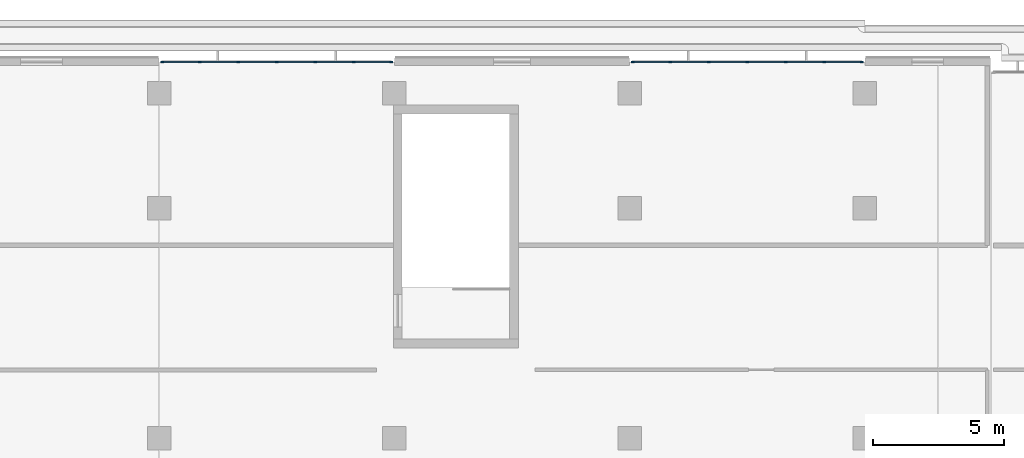
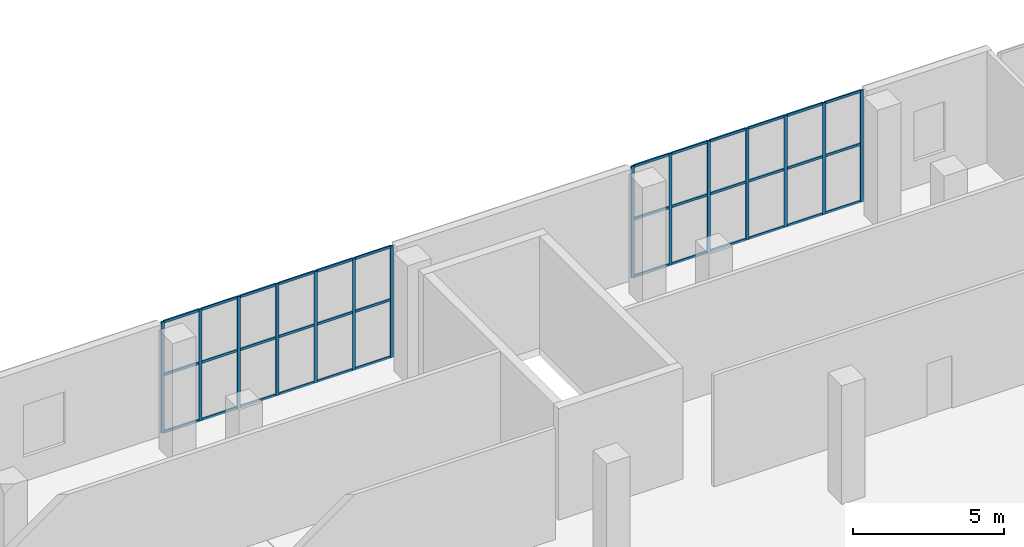
# One storey, part 34 of 96: 50 members, 2 elements without a shape of their own.
"""IFC4 building model written with IfcOpenShell, lengths in metres."""

import ifcopenshell
import ifcopenshell.guid

model = None  # the IFC model being written
_history = None  # IfcOwnerHistory: only IFC2X3 demands one
_inside = {}  # id of a spatial element -> (the spatial element, [elements in it])
_under = {}  # id of a project, library or spatial element -> (it, [spatial elements below it])
_declared = {}  # id of a project -> (the project, [libraries it declares])
_typed = {}  # id of a type object -> (the type object, [elements of that type])
_made_of = {}  # id of a material, layer set ... -> (it, [elements and type objects made of it])


def new_model(schema):
    """Start an empty IFC model of exactly this schema.

    Asked for "IFC4X3", IfcOpenShell would pick the latest addendum, in which some entities
    have other attributes; the version numbers below select the first issue.
    IFC2X3 requires an IfcOwnerHistory on every rooted entity: one is made here for all.
    """
    global model, _history
    if schema == "IFC4X3":
        model = ifcopenshell.file(schema_version=(4, 3, 0, 0))
    else:
        model = ifcopenshell.file(schema=schema)
    _inside.clear()
    _under.clear()
    _declared.clear()
    _typed.clear()
    _made_of.clear()
    _history = None
    if model.schema == "IFC2X3":
        org = make("IfcOrganization", Name="unknown")
        user = make(
            "IfcPersonAndOrganization",
            ThePerson=make("IfcPerson", FamilyName="unknown"),
            TheOrganization=org,
        )
        app = make(
            "IfcApplication",
            ApplicationDeveloper=org,
            Version="unknown",
            ApplicationFullName="unknown",
            ApplicationIdentifier="unknown",
        )
        _history = make(
            "IfcOwnerHistory",
            OwningUser=user,
            OwningApplication=app,
            ChangeAction="ADDED",
            CreationDate=0,
        )
    return model


def make(cls, **values):
    """One entity of the class cls with the attributes given. An attribute that is None is left unset."""
    return model.create_entity(
        cls, **{name: value for name, value in values.items() if value is not None}
    )


def rooted(cls, **values):
    """An entity with a GlobalId (a new one), such as an element, a storey or a relation."""
    return make(cls, GlobalId=ifcopenshell.guid.new(), OwnerHistory=_history, **values)


def si_unit(unit_type, name, prefix=None):
    """IfcSIUnit, for example si_unit("LENGTHUNIT", "METRE", prefix="MILLI")."""
    return make("IfcSIUnit", UnitType=unit_type, Prefix=prefix, Name=name)


def assignment(units):
    """IfcUnitAssignment: the units of a project."""
    return None if units is None else make("IfcUnitAssignment", Units=units)


def point(xyz):
    """IfcCartesianPoint."""
    return None if xyz is None else make("IfcCartesianPoint", Coordinates=xyz)


def direction(xyz):
    """IfcDirection."""
    return None if xyz is None else make("IfcDirection", DirectionRatios=xyz)


def frame(location, z_axis=None, x_axis=None):
    """IfcAxis2Placement3D, a coordinate frame: its origin and axes. An axis left out is left unset."""
    return make(
        "IfcAxis2Placement3D",
        Location=point(location),
        Axis=direction(z_axis),
        RefDirection=direction(x_axis),
    )


def frame_2d(location, x_axis=None):
    """IfcAxis2Placement2D, a coordinate frame in the plane: its origin and x axis."""
    return make(
        "IfcAxis2Placement2D", Location=point(location), RefDirection=direction(x_axis)
    )


def origin():
    """The frame at (0, 0, 0) with its axes left unset."""
    return frame((0.0, 0.0, 0.0))


def origin_2d():
    """The frame at (0, 0) in the plane with its x axis left unset."""
    return frame_2d((0.0, 0.0))


def place(relative_to, where):
    """IfcLocalPlacement: puts the frame where relative to a parent placement (None: the world)."""
    return make(
        "IfcLocalPlacement", PlacementRelTo=relative_to, RelativePlacement=where
    )


def context(
    kind, dimensions, precision=None, world=None, true_north=None, identifier=None
):
    """IfcGeometricRepresentationContext, for example the 3D "Model" context."""
    return make(
        "IfcGeometricRepresentationContext",
        ContextIdentifier=identifier,
        ContextType=kind,
        CoordinateSpaceDimension=dimensions,
        Precision=precision,
        WorldCoordinateSystem=world,
        TrueNorth=true_north,
    )


def subcontext(parent, identifier, kind, view, scale=None):
    """IfcGeometricRepresentationSubContext, for example "Body" below "Model"."""
    return make(
        "IfcGeometricRepresentationSubContext",
        ContextIdentifier=identifier,
        ContextType=kind,
        ParentContext=parent,
        TargetScale=scale,
        TargetView=view,
    )


def project(units=None, contexts=None):
    """IfcProject with its units and contexts."""
    return rooted(
        "IfcProject",
        Name="project",
        RepresentationContexts=contexts,
        UnitsInContext=assignment(units),
    )


def spatial(cls, under=None, at=None, **own):
    """A site, building, storey or space (cls), placed at a placement, below another one or the project."""
    s = rooted(cls, ObjectPlacement=at, **own)
    if under is not None:
        _under.setdefault(under.id(), (under, []))[1].append(s)
    return s


def profile(cls, at=None, kind="AREA", **sizes):
    """A parametric profile (cls). Its sizes go by their IFC names, for example OverallWidth=200.0."""
    return make(cls, ProfileType=kind, Position=at, **sizes)


def rectangle(**sizes):
    """IfcRectangleProfileDef."""
    return profile("IfcRectangleProfileDef", **sizes)


def extrude(swept, where, along, depth):
    """IfcExtrudedAreaSolid: the profile swept, set in the frame where, extruded along a direction by depth."""
    return make(
        "IfcExtrudedAreaSolid",
        SweptArea=swept,
        Position=where,
        ExtrudedDirection=direction(along),
        Depth=depth,
    )


def shape(context_of_items, identifier, shape_type, items):
    """IfcShapeRepresentation: the items that make up one representation, for example the "Body"."""
    return make(
        "IfcShapeRepresentation",
        ContextOfItems=context_of_items,
        RepresentationIdentifier=identifier,
        RepresentationType=shape_type,
        Items=items,
    )


def material(Name=None, Category=None):
    """IfcMaterial."""
    return make("IfcMaterial", Name=Name, Category=Category)


def layer(
    of_material, thickness, ventilated=None, Name=None, Category=None, Priority=None
):
    """IfcMaterialLayer: one layer of a wall or slab, of a material (None: an air gap)."""
    return make(
        "IfcMaterialLayer",
        Material=of_material,
        LayerThickness=thickness,
        IsVentilated=ventilated,
        Name=Name,
        Category=Category,
        Priority=Priority,
    )


def layer_set(layers, Name=None):
    """IfcMaterialLayerSet."""
    return make("IfcMaterialLayerSet", MaterialLayers=layers, LayerSetName=Name)


def material_profile(
    of_material, cross_section, Name=None, Category=None, Priority=None
):
    """IfcMaterialProfile: a cross section and its material."""
    return make(
        "IfcMaterialProfile",
        Name=Name,
        Material=of_material,
        Profile=cross_section,
        Priority=Priority,
        Category=Category,
    )


def profile_set(profiles, Name=None, composite=None):
    """IfcMaterialProfileSet."""
    return make(
        "IfcMaterialProfileSet",
        Name=Name,
        MaterialProfiles=profiles,
        CompositeProfile=composite,
    )


def made_of(thing, what):
    """Note that an element or type object is made of a material, layer set ...; save() writes the relation."""
    if what is not None:
        _made_of.setdefault(what.id(), (what, []))[1].append(thing)
    return thing


def type_object(cls, material=None, **own):
    """A type object (cls), such as IfcWallType, which elements share."""
    return made_of(rooted(cls, **own), material)


def element(
    cls,
    number,
    at=None,
    inside=None,
    cuts=None,
    type_object=None,
    material=None,
    context=None,
    identifier="Body",
    shape_type=None,
    held_by="IfcProductDefinitionShape",
    body=None,
    shapes=None,
    **own,
):
    """One element of the class cls, such as IfcWall. Its Tag is "e" and its number.

    at: its placement. inside: the storey or other place that contains it. cuts: it is an
    opening in that element (IfcRelVoidsElement). A single representation is given by context,
    identifier, shape_type and body (its items); several are given by shapes. held_by: the class
    of the entity that holds the representations. save() writes the other relations.
    """
    e = rooted(cls, Tag="e%d" % number, ObjectPlacement=at, **own)
    if body is not None:
        shapes = [shape(context, identifier, shape_type, body)]
    if shapes is not None:
        e.Representation = make(held_by, Representations=shapes)
    if inside is not None:
        _inside.setdefault(inside.id(), (inside, []))[1].append(e)
    if cuts is not None:
        rooted(
            "IfcRelVoidsElement", RelatingBuildingElement=cuts, RelatedOpeningElement=e
        )
    if type_object is not None:
        _typed.setdefault(type_object.id(), (type_object, []))[1].append(e)
    return made_of(e, material)


def aggregate(whole, parts):
    """IfcRelAggregates: a whole, such as a stair, and the parts it consists of."""
    return rooted("IfcRelAggregates", RelatingObject=whole, RelatedObjects=parts)


def save(model, path):
    """Write the relations noted so far, then the file.

    IfcRelAggregates (storeys below a building ...), IfcRelContainedInSpatialStructure (elements
    in a storey), IfcRelDefinesByType, IfcRelAssociatesMaterial and IfcRelDeclares: one each for
    every whole, place, type object, material and project.
    """
    for whole, parts in _under.values():
        aggregate(whole, parts)
    for where, things in _inside.values():
        rooted(
            "IfcRelContainedInSpatialStructure",
            RelatedElements=things,
            RelatingStructure=where,
        )
    for kind, things in _typed.values():
        rooted("IfcRelDefinesByType", RelatedObjects=things, RelatingType=kind)
    for what, things in _made_of.values():
        rooted("IfcRelAssociatesMaterial", RelatedObjects=things, RelatingMaterial=what)
    for by, libraries in _declared.values():
        rooted("IfcRelDeclares", RelatingContext=by, RelatedDefinitions=libraries)
    model.write(path)


model = new_model("IFC4")

# Units and contexts
model_context = context("Model", 3, precision=1e-05, world=origin(), true_north=direction((0.0, 1.0)))
body_context = subcontext(model_context, "Body", "Model", "MODEL_VIEW")
ifc_project = project(units=[si_unit("LENGTHUNIT", "METRE"), si_unit("AREAUNIT", "SQUARE_METRE"), si_unit("VOLUMEUNIT", "CUBIC_METRE"), si_unit("PLANEANGLEUNIT", "RADIAN"), si_unit("MASSUNIT", "GRAM", prefix="KILO")], contexts=[model_context])

# Site, building, storey
site_placement = place(None, origin())
site = spatial("IfcSite", under=ifc_project, at=site_placement, CompositionType="ELEMENT")
building_placement = place(site_placement, origin())
building = spatial("IfcBuilding", under=site, at=building_placement, Name="Cendralis Terraced Arcade", CompositionType="ELEMENT")
storey_placement = place(building_placement, frame((0.0, 0.0, 10.199951171875)))
storey = spatial("IfcBuildingStorey", under=building, at=storey_placement, Name="L02", CompositionType="ELEMENT", Elevation=10.199951171875)

# Curtain wall, members
ifc_material = material(Name="Anodised aluminium EN AW-6063 T6", Category="aluminium")
ifc_layer = layer(ifc_material, 0.1201171875, Name="CW-STORE-B")
ifc_layer_set = layer_set([ifc_layer], Name="Anodised aluminium EN AW-6063 T6")
curtain_wall_type = type_object("IfcCurtainWallType", Name="CW-STORE-B", PredefinedType="USERDEFINED", material=ifc_layer_set)
curtain_wall_1_placement = place(storey_placement, origin())
curtain_wall_1 = element("IfcCurtainWall", 1, at=curtain_wall_1_placement, inside=storey, type_object=curtain_wall_type, Name="Exterior Storefront Glazing CW-L02-0154", ObjectType="STOREFRONT GLAZING", PredefinedType="USERDEFINED")
ifc_material_profile_1 = material_profile(ifc_material, rectangle(XDim=0.054931640625, YDim=0.1201171875, at=origin_2d()), Name="ALU-MUL-55x120")
ifc_profile_set_1 = profile_set([ifc_material_profile_1], Name="Anodised aluminium EN AW-6063 T6")
member_type_1 = type_object("IfcMemberType", Name="CW-STORE-B-MUL", PredefinedType="MULLION", material=ifc_profile_set_1)
member_1_placement = place(storey_placement, frame((94.3173828125, 112.800048828125, 0.0), z_axis=(0.0, 0.0, 1.0), x_axis=(0.0, 1.0, 0.0)))
member_1 = element("IfcMember", 2, at=member_1_placement, type_object=member_type_1, Name="CW-S2 mullion 1", PredefinedType="MULLION", context=body_context, shape_type="SweptSolid", body=[
    extrude(rectangle(XDim=0.054931640625, YDim=0.1201171875, at=origin_2d()), origin(), (0.0, 0.0, 1.0), 4.51513671875),
])
member_2_placement = place(storey_placement, frame((95.760009765625, 112.800048828125, 0.0), z_axis=(0.0, 0.0, 1.0), x_axis=(0.0, 1.0, 0.0)))
member_2 = element("IfcMember", 3, at=member_2_placement, type_object=member_type_1, Name="CW-S2 mullion 2", PredefinedType="MULLION", context=body_context, shape_type="SweptSolid", body=[
    extrude(rectangle(XDim=0.054931640625, YDim=0.1201171875, at=origin_2d()), origin(), (0.0, 0.0, 1.0), 4.51513671875),
])
member_3_placement = place(storey_placement, frame((97.22998046875, 112.800048828125, 0.0), z_axis=(0.0, 0.0, 1.0), x_axis=(0.0, 1.0, 0.0)))
member_3 = element("IfcMember", 4, at=member_3_placement, type_object=member_type_1, Name="CW-S2 mullion 3", PredefinedType="MULLION", context=body_context, shape_type="SweptSolid", body=[
    extrude(rectangle(XDim=0.054931640625, YDim=0.1201171875, at=origin_2d()), origin(), (0.0, 0.0, 1.0), 4.51513671875),
])
member_4_placement = place(storey_placement, frame((98.699951171875, 112.800048828125, 0.0), z_axis=(0.0, 0.0, 1.0), x_axis=(0.0, 1.0, 0.0)))
member_4 = element("IfcMember", 5, at=member_4_placement, type_object=member_type_1, Name="CW-S2 mullion 4", PredefinedType="MULLION", context=body_context, shape_type="SweptSolid", body=[
    extrude(rectangle(XDim=0.054931640625, YDim=0.1201171875, at=origin_2d()), origin(), (0.0, 0.0, 1.0), 4.51513671875),
])
member_5_placement = place(storey_placement, frame((100.169921875, 112.800048828125, 0.0), z_axis=(0.0, 0.0, 1.0), x_axis=(0.0, 1.0, 0.0)))
member_5 = element("IfcMember", 6, at=member_5_placement, type_object=member_type_1, Name="CW-S2 mullion 5", PredefinedType="MULLION", context=body_context, shape_type="SweptSolid", body=[
    extrude(rectangle(XDim=0.054931640625, YDim=0.1201171875, at=origin_2d()), origin(), (0.0, 0.0, 1.0), 4.51513671875),
])
member_6_placement = place(storey_placement, frame((101.639892578125, 112.800048828125, 0.0), z_axis=(0.0, 0.0, 1.0), x_axis=(0.0, 1.0, 0.0)))
member_6 = element("IfcMember", 7, at=member_6_placement, type_object=member_type_1, Name="CW-S2 mullion 6", PredefinedType="MULLION", context=body_context, shape_type="SweptSolid", body=[
    extrude(rectangle(XDim=0.054931640625, YDim=0.1201171875, at=origin_2d()), origin(), (0.0, 0.0, 1.0), 4.51513671875),
])
member_7_placement = place(storey_placement, frame((103.08251953125, 112.800048828125, 0.0), z_axis=(0.0, 0.0, 1.0), x_axis=(0.0, 1.0, 0.0)))
member_7 = element("IfcMember", 8, at=member_7_placement, type_object=member_type_1, Name="CW-S2 mullion 7", PredefinedType="MULLION", context=body_context, shape_type="SweptSolid", body=[
    extrude(rectangle(XDim=0.054931640625, YDim=0.1201171875, at=origin_2d()), origin(), (0.0, 0.0, 1.0), 4.51513671875),
])

curtain_wall_2_placement = place(storey_placement, origin())
curtain_wall_2 = element("IfcCurtainWall", 9, at=curtain_wall_2_placement, inside=storey, type_object=curtain_wall_type, Name="Exterior Storefront Glazing CW-L02-0155", ObjectType="STOREFRONT GLAZING", PredefinedType="USERDEFINED")
member_8_placement = place(storey_placement, frame((112.3173828125, 112.800048828125, 0.0), z_axis=(0.0, 0.0, 1.0), x_axis=(0.0, 1.0, 0.0)))
member_8 = element("IfcMember", 10, at=member_8_placement, type_object=member_type_1, Name="CW-S2 mullion 1", PredefinedType="MULLION", context=body_context, shape_type="SweptSolid", body=[
    extrude(rectangle(XDim=0.054931640625, YDim=0.1201171875, at=origin_2d()), origin(), (0.0, 0.0, 1.0), 4.51513671875),
])
member_9_placement = place(storey_placement, frame((113.760009765625, 112.800048828125, 0.0), z_axis=(0.0, 0.0, 1.0), x_axis=(0.0, 1.0, 0.0)))
member_9 = element("IfcMember", 11, at=member_9_placement, type_object=member_type_1, Name="CW-S2 mullion 2", PredefinedType="MULLION", context=body_context, shape_type="SweptSolid", body=[
    extrude(rectangle(XDim=0.054931640625, YDim=0.1201171875, at=origin_2d()), origin(), (0.0, 0.0, 1.0), 4.51513671875),
])
member_10_placement = place(storey_placement, frame((115.22998046875, 112.800048828125, 0.0), z_axis=(0.0, 0.0, 1.0), x_axis=(0.0, 1.0, 0.0)))
member_10 = element("IfcMember", 12, at=member_10_placement, type_object=member_type_1, Name="CW-S2 mullion 3", PredefinedType="MULLION", context=body_context, shape_type="SweptSolid", body=[
    extrude(rectangle(XDim=0.054931640625, YDim=0.1201171875, at=origin_2d()), origin(), (0.0, 0.0, 1.0), 4.51513671875),
])
member_11_placement = place(storey_placement, frame((116.699951171875, 112.800048828125, 0.0), z_axis=(0.0, 0.0, 1.0), x_axis=(0.0, 1.0, 0.0)))
member_11 = element("IfcMember", 13, at=member_11_placement, type_object=member_type_1, Name="CW-S2 mullion 4", PredefinedType="MULLION", context=body_context, shape_type="SweptSolid", body=[
    extrude(rectangle(XDim=0.054931640625, YDim=0.1201171875, at=origin_2d()), origin(), (0.0, 0.0, 1.0), 4.51513671875),
])
member_12_placement = place(storey_placement, frame((118.169921875, 112.800048828125, 0.0), z_axis=(0.0, 0.0, 1.0), x_axis=(0.0, 1.0, 0.0)))
member_12 = element("IfcMember", 14, at=member_12_placement, type_object=member_type_1, Name="CW-S2 mullion 5", PredefinedType="MULLION", context=body_context, shape_type="SweptSolid", body=[
    extrude(rectangle(XDim=0.054931640625, YDim=0.1201171875, at=origin_2d()), origin(), (0.0, 0.0, 1.0), 4.51513671875),
])
member_13_placement = place(storey_placement, frame((119.639892578125, 112.800048828125, 0.0), z_axis=(0.0, 0.0, 1.0), x_axis=(0.0, 1.0, 0.0)))
member_13 = element("IfcMember", 15, at=member_13_placement, type_object=member_type_1, Name="CW-S2 mullion 6", PredefinedType="MULLION", context=body_context, shape_type="SweptSolid", body=[
    extrude(rectangle(XDim=0.054931640625, YDim=0.1201171875, at=origin_2d()), origin(), (0.0, 0.0, 1.0), 4.51513671875),
])
member_14_placement = place(storey_placement, frame((121.08251953125, 112.800048828125, 0.0), z_axis=(0.0, 0.0, 1.0), x_axis=(0.0, 1.0, 0.0)))
member_14 = element("IfcMember", 16, at=member_14_placement, type_object=member_type_1, Name="CW-S2 mullion 7", PredefinedType="MULLION", context=body_context, shape_type="SweptSolid", body=[
    extrude(rectangle(XDim=0.054931640625, YDim=0.1201171875, at=origin_2d()), origin(), (0.0, 0.0, 1.0), 4.51513671875),
])

# Member
ifc_material_profile_2 = material_profile(ifc_material, rectangle(XDim=0.054931640625, YDim=0.10009765625, at=origin_2d()), Name="ALU-TRN-55x100")
ifc_profile_set_2 = profile_set([ifc_material_profile_2], Name="Anodised aluminium EN AW-6063 T6")
member_type_2 = type_object("IfcMemberType", Name="CW-STORE-B-TRN", PredefinedType="USERDEFINED", material=ifc_profile_set_2)
member_15_placement = place(storey_placement, frame((94.344970703125, 112.800048828125, 0.027587890625), z_axis=(1.0, 0.0, 0.0), x_axis=(0.0, 1.0, 0.0)))
member_15 = element("IfcMember", 17, at=member_15_placement, type_object=member_type_2, Name="CW-S2 transom 1.1", ObjectType="TRANSOM", PredefinedType="USERDEFINED", context=body_context, shape_type="SweptSolid", body=[
    extrude(rectangle(XDim=0.054931640625, YDim=0.10009765625, at=origin_2d()), origin(), (0.0, 0.0, 1.0), 1.387451171875),
])

member_16_placement = place(storey_placement, frame((94.344970703125, 112.800048828125, 2.347900390625), z_axis=(1.0, 0.0, 0.0), x_axis=(0.0, 1.0, 0.0)))
member_16 = element("IfcMember", 18, at=member_16_placement, type_object=member_type_2, Name="CW-S2 transom 1.2", ObjectType="TRANSOM", PredefinedType="USERDEFINED", context=body_context, shape_type="SweptSolid", body=[
    extrude(rectangle(XDim=0.054931640625, YDim=0.10009765625, at=origin_2d()), origin(), (0.0, 0.0, 1.0), 1.387451171875),
])

member_17_placement = place(storey_placement, frame((94.344970703125, 112.800048828125, 4.487548828125), z_axis=(1.0, 0.0, 0.0), x_axis=(0.0, 1.0, 0.0)))
member_17 = element("IfcMember", 19, at=member_17_placement, type_object=member_type_2, Name="CW-S2 transom 1.3", ObjectType="TRANSOM", PredefinedType="USERDEFINED", context=body_context, shape_type="SweptSolid", body=[
    extrude(rectangle(XDim=0.054931640625, YDim=0.10009765625, at=origin_2d()), origin(), (0.0, 0.0, 1.0), 1.387451171875),
])

member_18_placement = place(storey_placement, frame((95.78759765625, 112.800048828125, 0.027587890625), z_axis=(1.0, 0.0, 0.0), x_axis=(0.0, 1.0, 0.0)))
member_18 = element("IfcMember", 20, at=member_18_placement, type_object=member_type_2, Name="CW-S2 transom 2.1", ObjectType="TRANSOM", PredefinedType="USERDEFINED", context=body_context, shape_type="SweptSolid", body=[
    extrude(rectangle(XDim=0.054931640625, YDim=0.10009765625, at=origin_2d()), origin(), (0.0, 0.0, 1.0), 1.414794921875),
])

member_19_placement = place(storey_placement, frame((95.78759765625, 112.800048828125, 2.347900390625), z_axis=(1.0, 0.0, 0.0), x_axis=(0.0, 1.0, 0.0)))
member_19 = element("IfcMember", 21, at=member_19_placement, type_object=member_type_2, Name="CW-S2 transom 2.2", ObjectType="TRANSOM", PredefinedType="USERDEFINED", context=body_context, shape_type="SweptSolid", body=[
    extrude(rectangle(XDim=0.054931640625, YDim=0.10009765625, at=origin_2d()), origin(), (0.0, 0.0, 1.0), 1.414794921875),
])

member_20_placement = place(storey_placement, frame((95.78759765625, 112.800048828125, 4.487548828125), z_axis=(1.0, 0.0, 0.0), x_axis=(0.0, 1.0, 0.0)))
member_20 = element("IfcMember", 22, at=member_20_placement, type_object=member_type_2, Name="CW-S2 transom 2.3", ObjectType="TRANSOM", PredefinedType="USERDEFINED", context=body_context, shape_type="SweptSolid", body=[
    extrude(rectangle(XDim=0.054931640625, YDim=0.10009765625, at=origin_2d()), origin(), (0.0, 0.0, 1.0), 1.414794921875),
])

member_21_placement = place(storey_placement, frame((97.257568359375, 112.800048828125, 0.027587890625), z_axis=(1.0, 0.0, 0.0), x_axis=(0.0, 1.0, 0.0)))
member_21 = element("IfcMember", 23, at=member_21_placement, type_object=member_type_2, Name="CW-S2 transom 3.1", ObjectType="TRANSOM", PredefinedType="USERDEFINED", context=body_context, shape_type="SweptSolid", body=[
    extrude(rectangle(XDim=0.054931640625, YDim=0.10009765625, at=origin_2d()), origin(), (0.0, 0.0, 1.0), 1.4150390625),
])

member_22_placement = place(storey_placement, frame((97.257568359375, 112.800048828125, 2.347900390625), z_axis=(1.0, 0.0, 0.0), x_axis=(0.0, 1.0, 0.0)))
member_22 = element("IfcMember", 24, at=member_22_placement, type_object=member_type_2, Name="CW-S2 transom 3.2", ObjectType="TRANSOM", PredefinedType="USERDEFINED", context=body_context, shape_type="SweptSolid", body=[
    extrude(rectangle(XDim=0.054931640625, YDim=0.10009765625, at=origin_2d()), origin(), (0.0, 0.0, 1.0), 1.4150390625),
])

member_23_placement = place(storey_placement, frame((97.257568359375, 112.800048828125, 4.487548828125), z_axis=(1.0, 0.0, 0.0), x_axis=(0.0, 1.0, 0.0)))
member_23 = element("IfcMember", 25, at=member_23_placement, type_object=member_type_2, Name="CW-S2 transom 3.3", ObjectType="TRANSOM", PredefinedType="USERDEFINED", context=body_context, shape_type="SweptSolid", body=[
    extrude(rectangle(XDim=0.054931640625, YDim=0.10009765625, at=origin_2d()), origin(), (0.0, 0.0, 1.0), 1.4150390625),
])

member_24_placement = place(storey_placement, frame((98.7275390625, 112.800048828125, 0.027587890625), z_axis=(1.0, 0.0, 0.0), x_axis=(0.0, 1.0, 0.0)))
member_24 = element("IfcMember", 26, at=member_24_placement, type_object=member_type_2, Name="CW-S2 transom 4.1", ObjectType="TRANSOM", PredefinedType="USERDEFINED", context=body_context, shape_type="SweptSolid", body=[
    extrude(rectangle(XDim=0.054931640625, YDim=0.10009765625, at=origin_2d()), origin(), (0.0, 0.0, 1.0), 1.4150390625),
])

member_25_placement = place(storey_placement, frame((98.7275390625, 112.800048828125, 2.347900390625), z_axis=(1.0, 0.0, 0.0), x_axis=(0.0, 1.0, 0.0)))
member_25 = element("IfcMember", 27, at=member_25_placement, type_object=member_type_2, Name="CW-S2 transom 4.2", ObjectType="TRANSOM", PredefinedType="USERDEFINED", context=body_context, shape_type="SweptSolid", body=[
    extrude(rectangle(XDim=0.054931640625, YDim=0.10009765625, at=origin_2d()), origin(), (0.0, 0.0, 1.0), 1.4150390625),
])

member_26_placement = place(storey_placement, frame((98.7275390625, 112.800048828125, 4.487548828125), z_axis=(1.0, 0.0, 0.0), x_axis=(0.0, 1.0, 0.0)))
member_26 = element("IfcMember", 28, at=member_26_placement, type_object=member_type_2, Name="CW-S2 transom 4.3", ObjectType="TRANSOM", PredefinedType="USERDEFINED", context=body_context, shape_type="SweptSolid", body=[
    extrude(rectangle(XDim=0.054931640625, YDim=0.10009765625, at=origin_2d()), origin(), (0.0, 0.0, 1.0), 1.4150390625),
])

member_27_placement = place(storey_placement, frame((100.197509765625, 112.800048828125, 0.027587890625), z_axis=(1.0, 0.0, 0.0), x_axis=(0.0, 1.0, 0.0)))
member_27 = element("IfcMember", 29, at=member_27_placement, type_object=member_type_2, Name="CW-S2 transom 5.1", ObjectType="TRANSOM", PredefinedType="USERDEFINED", context=body_context, shape_type="SweptSolid", body=[
    extrude(rectangle(XDim=0.054931640625, YDim=0.10009765625, at=origin_2d()), origin(), (0.0, 0.0, 1.0), 1.4150390625),
])

member_28_placement = place(storey_placement, frame((100.197509765625, 112.800048828125, 2.347900390625), z_axis=(1.0, 0.0, 0.0), x_axis=(0.0, 1.0, 0.0)))
member_28 = element("IfcMember", 30, at=member_28_placement, type_object=member_type_2, Name="CW-S2 transom 5.2", ObjectType="TRANSOM", PredefinedType="USERDEFINED", context=body_context, shape_type="SweptSolid", body=[
    extrude(rectangle(XDim=0.054931640625, YDim=0.10009765625, at=origin_2d()), origin(), (0.0, 0.0, 1.0), 1.4150390625),
])

member_29_placement = place(storey_placement, frame((100.197509765625, 112.800048828125, 4.487548828125), z_axis=(1.0, 0.0, 0.0), x_axis=(0.0, 1.0, 0.0)))
member_29 = element("IfcMember", 31, at=member_29_placement, type_object=member_type_2, Name="CW-S2 transom 5.3", ObjectType="TRANSOM", PredefinedType="USERDEFINED", context=body_context, shape_type="SweptSolid", body=[
    extrude(rectangle(XDim=0.054931640625, YDim=0.10009765625, at=origin_2d()), origin(), (0.0, 0.0, 1.0), 1.4150390625),
])

member_30_placement = place(storey_placement, frame((101.66748046875, 112.800048828125, 0.027587890625), z_axis=(1.0, 0.0, 0.0), x_axis=(0.0, 1.0, 0.0)))
member_30 = element("IfcMember", 32, at=member_30_placement, type_object=member_type_2, Name="CW-S2 transom 6.1", ObjectType="TRANSOM", PredefinedType="USERDEFINED", context=body_context, shape_type="SweptSolid", body=[
    extrude(rectangle(XDim=0.054931640625, YDim=0.10009765625, at=origin_2d()), origin(), (0.0, 0.0, 1.0), 1.387451171875),
])

member_31_placement = place(storey_placement, frame((101.66748046875, 112.800048828125, 2.347900390625), z_axis=(1.0, 0.0, 0.0), x_axis=(0.0, 1.0, 0.0)))
member_31 = element("IfcMember", 33, at=member_31_placement, type_object=member_type_2, Name="CW-S2 transom 6.2", ObjectType="TRANSOM", PredefinedType="USERDEFINED", context=body_context, shape_type="SweptSolid", body=[
    extrude(rectangle(XDim=0.054931640625, YDim=0.10009765625, at=origin_2d()), origin(), (0.0, 0.0, 1.0), 1.387451171875),
])

member_32_placement = place(storey_placement, frame((101.66748046875, 112.800048828125, 4.487548828125), z_axis=(1.0, 0.0, 0.0), x_axis=(0.0, 1.0, 0.0)))
member_32 = element("IfcMember", 34, at=member_32_placement, type_object=member_type_2, Name="CW-S2 transom 6.3", ObjectType="TRANSOM", PredefinedType="USERDEFINED", context=body_context, shape_type="SweptSolid", body=[
    extrude(rectangle(XDim=0.054931640625, YDim=0.10009765625, at=origin_2d()), origin(), (0.0, 0.0, 1.0), 1.387451171875),
])

aggregate(curtain_wall_1, [member_1, member_2, member_3, member_4, member_5, member_6, member_7, member_15, member_16, member_17, member_18, member_19, member_20, member_21, member_22, member_23, member_24, member_25, member_26, member_27, member_28, member_29, member_30, member_31, member_32])

member_33_placement = place(storey_placement, frame((112.344970703125, 112.800048828125, 0.027587890625), z_axis=(1.0, 0.0, 0.0), x_axis=(0.0, 1.0, 0.0)))
member_33 = element("IfcMember", 35, at=member_33_placement, type_object=member_type_2, Name="CW-S2 transom 1.1", ObjectType="TRANSOM", PredefinedType="USERDEFINED", context=body_context, shape_type="SweptSolid", body=[
    extrude(rectangle(XDim=0.054931640625, YDim=0.10009765625, at=origin_2d()), origin(), (0.0, 0.0, 1.0), 1.387451171875),
])

member_34_placement = place(storey_placement, frame((112.344970703125, 112.800048828125, 2.347900390625), z_axis=(1.0, 0.0, 0.0), x_axis=(0.0, 1.0, 0.0)))
member_34 = element("IfcMember", 36, at=member_34_placement, type_object=member_type_2, Name="CW-S2 transom 1.2", ObjectType="TRANSOM", PredefinedType="USERDEFINED", context=body_context, shape_type="SweptSolid", body=[
    extrude(rectangle(XDim=0.054931640625, YDim=0.10009765625, at=origin_2d()), origin(), (0.0, 0.0, 1.0), 1.387451171875),
])

member_35_placement = place(storey_placement, frame((112.344970703125, 112.800048828125, 4.487548828125), z_axis=(1.0, 0.0, 0.0), x_axis=(0.0, 1.0, 0.0)))
member_35 = element("IfcMember", 37, at=member_35_placement, type_object=member_type_2, Name="CW-S2 transom 1.3", ObjectType="TRANSOM", PredefinedType="USERDEFINED", context=body_context, shape_type="SweptSolid", body=[
    extrude(rectangle(XDim=0.054931640625, YDim=0.10009765625, at=origin_2d()), origin(), (0.0, 0.0, 1.0), 1.387451171875),
])

member_36_placement = place(storey_placement, frame((113.78759765625, 112.800048828125, 0.027587890625), z_axis=(1.0, 0.0, 0.0), x_axis=(0.0, 1.0, 0.0)))
member_36 = element("IfcMember", 38, at=member_36_placement, type_object=member_type_2, Name="CW-S2 transom 2.1", ObjectType="TRANSOM", PredefinedType="USERDEFINED", context=body_context, shape_type="SweptSolid", body=[
    extrude(rectangle(XDim=0.054931640625, YDim=0.10009765625, at=origin_2d()), origin(), (0.0, 0.0, 1.0), 1.414794921875),
])

member_37_placement = place(storey_placement, frame((113.78759765625, 112.800048828125, 2.347900390625), z_axis=(1.0, 0.0, 0.0), x_axis=(0.0, 1.0, 0.0)))
member_37 = element("IfcMember", 39, at=member_37_placement, type_object=member_type_2, Name="CW-S2 transom 2.2", ObjectType="TRANSOM", PredefinedType="USERDEFINED", context=body_context, shape_type="SweptSolid", body=[
    extrude(rectangle(XDim=0.054931640625, YDim=0.10009765625, at=origin_2d()), origin(), (0.0, 0.0, 1.0), 1.414794921875),
])

member_38_placement = place(storey_placement, frame((113.78759765625, 112.800048828125, 4.487548828125), z_axis=(1.0, 0.0, 0.0), x_axis=(0.0, 1.0, 0.0)))
member_38 = element("IfcMember", 40, at=member_38_placement, type_object=member_type_2, Name="CW-S2 transom 2.3", ObjectType="TRANSOM", PredefinedType="USERDEFINED", context=body_context, shape_type="SweptSolid", body=[
    extrude(rectangle(XDim=0.054931640625, YDim=0.10009765625, at=origin_2d()), origin(), (0.0, 0.0, 1.0), 1.414794921875),
])

member_39_placement = place(storey_placement, frame((115.257568359375, 112.800048828125, 0.027587890625), z_axis=(1.0, 0.0, 0.0), x_axis=(0.0, 1.0, 0.0)))
member_39 = element("IfcMember", 41, at=member_39_placement, type_object=member_type_2, Name="CW-S2 transom 3.1", ObjectType="TRANSOM", PredefinedType="USERDEFINED", context=body_context, shape_type="SweptSolid", body=[
    extrude(rectangle(XDim=0.054931640625, YDim=0.10009765625, at=origin_2d()), origin(), (0.0, 0.0, 1.0), 1.4150390625),
])

member_40_placement = place(storey_placement, frame((115.257568359375, 112.800048828125, 2.347900390625), z_axis=(1.0, 0.0, 0.0), x_axis=(0.0, 1.0, 0.0)))
member_40 = element("IfcMember", 42, at=member_40_placement, type_object=member_type_2, Name="CW-S2 transom 3.2", ObjectType="TRANSOM", PredefinedType="USERDEFINED", context=body_context, shape_type="SweptSolid", body=[
    extrude(rectangle(XDim=0.054931640625, YDim=0.10009765625, at=origin_2d()), origin(), (0.0, 0.0, 1.0), 1.4150390625),
])

member_41_placement = place(storey_placement, frame((115.257568359375, 112.800048828125, 4.487548828125), z_axis=(1.0, 0.0, 0.0), x_axis=(0.0, 1.0, 0.0)))
member_41 = element("IfcMember", 43, at=member_41_placement, type_object=member_type_2, Name="CW-S2 transom 3.3", ObjectType="TRANSOM", PredefinedType="USERDEFINED", context=body_context, shape_type="SweptSolid", body=[
    extrude(rectangle(XDim=0.054931640625, YDim=0.10009765625, at=origin_2d()), origin(), (0.0, 0.0, 1.0), 1.4150390625),
])

member_42_placement = place(storey_placement, frame((116.7275390625, 112.800048828125, 0.027587890625), z_axis=(1.0, 0.0, 0.0), x_axis=(0.0, 1.0, 0.0)))
member_42 = element("IfcMember", 44, at=member_42_placement, type_object=member_type_2, Name="CW-S2 transom 4.1", ObjectType="TRANSOM", PredefinedType="USERDEFINED", context=body_context, shape_type="SweptSolid", body=[
    extrude(rectangle(XDim=0.054931640625, YDim=0.10009765625, at=origin_2d()), origin(), (0.0, 0.0, 1.0), 1.4150390625),
])

member_43_placement = place(storey_placement, frame((116.7275390625, 112.800048828125, 2.347900390625), z_axis=(1.0, 0.0, 0.0), x_axis=(0.0, 1.0, 0.0)))
member_43 = element("IfcMember", 45, at=member_43_placement, type_object=member_type_2, Name="CW-S2 transom 4.2", ObjectType="TRANSOM", PredefinedType="USERDEFINED", context=body_context, shape_type="SweptSolid", body=[
    extrude(rectangle(XDim=0.054931640625, YDim=0.10009765625, at=origin_2d()), origin(), (0.0, 0.0, 1.0), 1.4150390625),
])

member_44_placement = place(storey_placement, frame((116.7275390625, 112.800048828125, 4.487548828125), z_axis=(1.0, 0.0, 0.0), x_axis=(0.0, 1.0, 0.0)))
member_44 = element("IfcMember", 46, at=member_44_placement, type_object=member_type_2, Name="CW-S2 transom 4.3", ObjectType="TRANSOM", PredefinedType="USERDEFINED", context=body_context, shape_type="SweptSolid", body=[
    extrude(rectangle(XDim=0.054931640625, YDim=0.10009765625, at=origin_2d()), origin(), (0.0, 0.0, 1.0), 1.4150390625),
])

member_45_placement = place(storey_placement, frame((118.197509765625, 112.800048828125, 0.027587890625), z_axis=(1.0, 0.0, 0.0), x_axis=(0.0, 1.0, 0.0)))
member_45 = element("IfcMember", 47, at=member_45_placement, type_object=member_type_2, Name="CW-S2 transom 5.1", ObjectType="TRANSOM", PredefinedType="USERDEFINED", context=body_context, shape_type="SweptSolid", body=[
    extrude(rectangle(XDim=0.054931640625, YDim=0.10009765625, at=origin_2d()), origin(), (0.0, 0.0, 1.0), 1.4150390625),
])

member_46_placement = place(storey_placement, frame((118.197509765625, 112.800048828125, 2.347900390625), z_axis=(1.0, 0.0, 0.0), x_axis=(0.0, 1.0, 0.0)))
member_46 = element("IfcMember", 48, at=member_46_placement, type_object=member_type_2, Name="CW-S2 transom 5.2", ObjectType="TRANSOM", PredefinedType="USERDEFINED", context=body_context, shape_type="SweptSolid", body=[
    extrude(rectangle(XDim=0.054931640625, YDim=0.10009765625, at=origin_2d()), origin(), (0.0, 0.0, 1.0), 1.4150390625),
])

member_47_placement = place(storey_placement, frame((118.197509765625, 112.800048828125, 4.487548828125), z_axis=(1.0, 0.0, 0.0), x_axis=(0.0, 1.0, 0.0)))
member_47 = element("IfcMember", 49, at=member_47_placement, type_object=member_type_2, Name="CW-S2 transom 5.3", ObjectType="TRANSOM", PredefinedType="USERDEFINED", context=body_context, shape_type="SweptSolid", body=[
    extrude(rectangle(XDim=0.054931640625, YDim=0.10009765625, at=origin_2d()), origin(), (0.0, 0.0, 1.0), 1.4150390625),
])

member_48_placement = place(storey_placement, frame((119.66748046875, 112.800048828125, 0.027587890625), z_axis=(1.0, 0.0, 0.0), x_axis=(0.0, 1.0, 0.0)))
member_48 = element("IfcMember", 50, at=member_48_placement, type_object=member_type_2, Name="CW-S2 transom 6.1", ObjectType="TRANSOM", PredefinedType="USERDEFINED", context=body_context, shape_type="SweptSolid", body=[
    extrude(rectangle(XDim=0.054931640625, YDim=0.10009765625, at=origin_2d()), origin(), (0.0, 0.0, 1.0), 1.387451171875),
])

member_49_placement = place(storey_placement, frame((119.66748046875, 112.800048828125, 2.347900390625), z_axis=(1.0, 0.0, 0.0), x_axis=(0.0, 1.0, 0.0)))
member_49 = element("IfcMember", 51, at=member_49_placement, type_object=member_type_2, Name="CW-S2 transom 6.2", ObjectType="TRANSOM", PredefinedType="USERDEFINED", context=body_context, shape_type="SweptSolid", body=[
    extrude(rectangle(XDim=0.054931640625, YDim=0.10009765625, at=origin_2d()), origin(), (0.0, 0.0, 1.0), 1.387451171875),
])

member_50_placement = place(storey_placement, frame((119.66748046875, 112.800048828125, 4.487548828125), z_axis=(1.0, 0.0, 0.0), x_axis=(0.0, 1.0, 0.0)))
member_50 = element("IfcMember", 52, at=member_50_placement, type_object=member_type_2, Name="CW-S2 transom 6.3", ObjectType="TRANSOM", PredefinedType="USERDEFINED", context=body_context, shape_type="SweptSolid", body=[
    extrude(rectangle(XDim=0.054931640625, YDim=0.10009765625, at=origin_2d()), origin(), (0.0, 0.0, 1.0), 1.387451171875),
])

aggregate(curtain_wall_2, [member_8, member_9, member_10, member_11, member_12, member_13, member_14, member_33, member_34, member_35, member_36, member_37, member_38, member_39, member_40, member_41, member_42, member_43, member_44, member_45, member_46, member_47, member_48, member_49, member_50])

save(model, "model.ifc")
